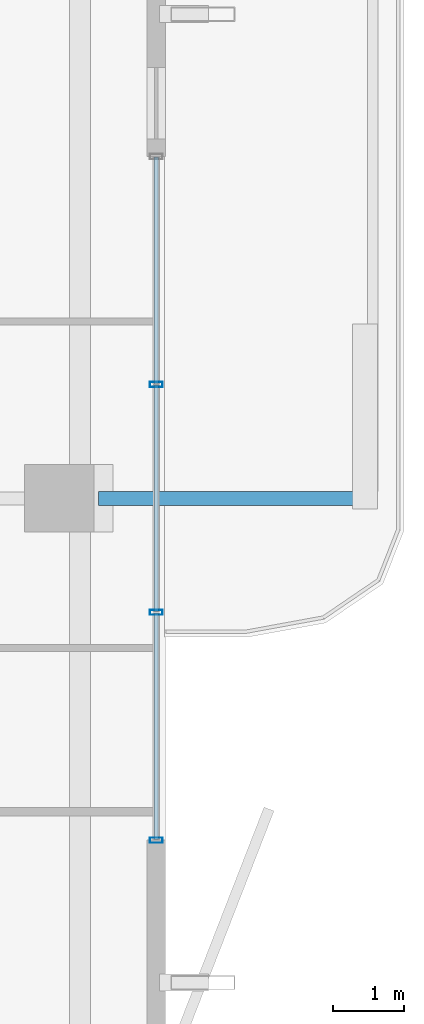
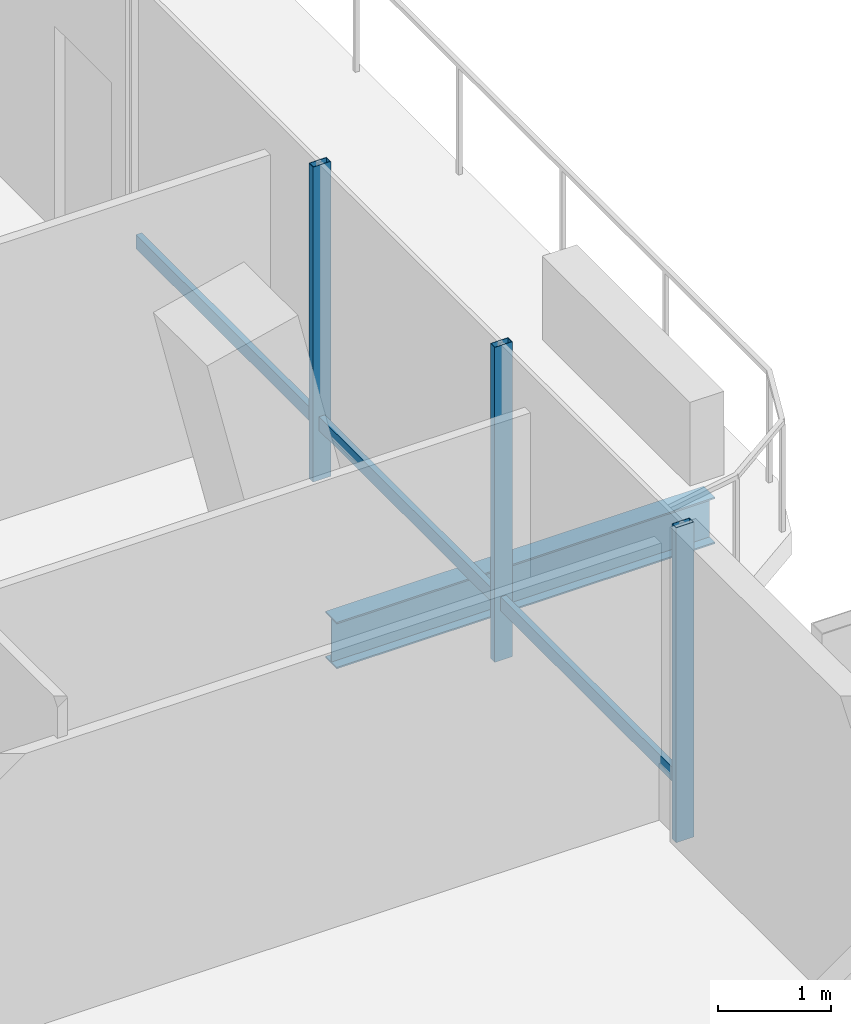
# One storey, part 10 of 25: 6 members, 1 beam, 1 element without a shape of its own.
"""IFC4 building model written with IfcOpenShell, lengths in metres."""

from ifc_helpers import new_model, si_unit, direction, frame, origin, origin_2d, place, context, subcontext, project, spatial, hollow_rectangle, i_section, extrude, material, layer, layer_set, material_profile, profile_set, type_object, element, aggregate, save


model = new_model("IFC4")

# Units and contexts
model_context = context("Model", 3, precision=1e-05, world=origin(), true_north=direction((0.0, 1.0)))
body_context = subcontext(model_context, "Body", "Model", "MODEL_VIEW")
ifc_project = project(units=[si_unit("LENGTHUNIT", "METRE"), si_unit("AREAUNIT", "SQUARE_METRE"), si_unit("VOLUMEUNIT", "CUBIC_METRE"), si_unit("PLANEANGLEUNIT", "RADIAN"), si_unit("MASSUNIT", "GRAM", prefix="KILO")], contexts=[model_context])

# Site, building, storey
site_placement = place(None, origin())
site = spatial("IfcSite", under=ifc_project, at=site_placement, CompositionType="ELEMENT")
building_placement = place(site_placement, origin())
building = spatial("IfcBuilding", under=site, at=building_placement, Name="Belovzor Exchange Tower", CompositionType="ELEMENT")
storey_placement = place(building_placement, frame((0.0, 0.0, 280.35009765625)))
storey = spatial("IfcBuildingStorey", under=building, at=storey_placement, Name="L70", CompositionType="ELEMENT", Elevation=280.35009765625)

# Beam
ifc_material_1 = material(Name="Steel S355", Category="steel")
ifc_material_profile_1 = material_profile(ifc_material_1, i_section(OverallWidth=0.199951171875, OverallDepth=0.5, WebThickness=0.01025390625, FlangeThickness=0.01611328125, at=origin_2d()))
ifc_profile_set_1 = profile_set([ifc_material_profile_1], Name="Steel S355")
beam_type = type_object("IfcBeamType", Name="Planted Balcony Cantilever Beam IPE 500", PredefinedType="BEAM", material=ifc_profile_set_1)
beam_placement = place(storey_placement, frame((52.760986328125, 28.800048828125, -0.5), z_axis=(1.0, 0.0, 0.0), x_axis=(0.0, 1.0, 0.0)))
element("IfcBeam", 1, at=beam_placement, inside=storey, type_object=beam_type, Name="BC-500 Planted Balcony Cantilever Beam IPE 500", PredefinedType="BEAM", context=body_context, shape_type="SweptSolid", body=[
    extrude(i_section(OverallWidth=0.199951171875, OverallDepth=0.5, WebThickness=0.01025390625, FlangeThickness=0.01611328125, at=origin_2d()), origin(), (0.0, 0.0, 1.0), 3.85009765625),
])

# Curtain wall, members
ifc_material_2 = material(Name="Anodised Aluminium Framing", Category="aluminium")
ifc_layer = layer(ifc_material_2, 0.179931640625)
ifc_layer_set = layer_set([ifc_layer], Name="Anodised Aluminium Framing")
curtain_wall_type = type_object("IfcCurtainWallType", Name="Recessed Loggia Low-Iron Triple-Glazed Curtain Wall", PredefinedType="NOTDEFINED", material=ifc_layer_set)
curtain_wall_placement = place(storey_placement, origin())
curtain_wall = element("IfcCurtainWall", 2, at=curtain_wall_placement, inside=storey, type_object=curtain_wall_type, Name="CW3 Recessed Loggia Low-Iron Triple-Glazed Curtain Wall L70", PredefinedType="NOTDEFINED")
ifc_material_3 = material(Name="Steel S355", Category="steel")
ifc_material_profile_2 = material_profile(ifc_material_3, hollow_rectangle(XDim=0.074951171875, YDim=0.179931640625, WallThickness=0.0048828125, at=origin_2d()))
ifc_profile_set_2 = profile_set([ifc_material_profile_2], Name="Steel S355")
member_type_1 = type_object("IfcMemberType", Name="Thermally Broken Curtain Wall Mullion 180x75", PredefinedType="MULLION", material=ifc_profile_set_2)
member_1_placement = place(storey_placement, frame((53.570068359375, 30.39990234375, 0.0), z_axis=(0.0, 0.0, 1.0), x_axis=(0.0, -1.0, 0.0)))
member_1 = element("IfcMember", 3, at=member_1_placement, type_object=member_type_1, Name="CW-M180 Curtain Wall Mullion 2", PredefinedType="MULLION", context=body_context, shape_type="SweptSolid", body=[
    extrude(hollow_rectangle(XDim=0.074951171875, YDim=0.179931640625, WallThickness=0.0048828125, at=origin_2d()), origin(), (0.0, 0.0, 1.0), 3.389892578125),
])
member_2_placement = place(storey_placement, frame((53.570068359375, 27.199951171875, 0.0), z_axis=(0.0, 0.0, 1.0), x_axis=(0.0, -1.0, 0.0)))
member_2 = element("IfcMember", 4, at=member_2_placement, type_object=member_type_1, Name="CW-M180 Curtain Wall Mullion 3", PredefinedType="MULLION", context=body_context, shape_type="SweptSolid", body=[
    extrude(hollow_rectangle(XDim=0.074951171875, YDim=0.179931640625, WallThickness=0.0048828125, at=origin_2d()), origin(), (0.0, 0.0, 1.0), 3.389892578125),
])
member_3_placement = place(storey_placement, frame((53.570068359375, 24.0, 0.0), z_axis=(0.0, 0.0, 1.0), x_axis=(0.0, -1.0, 0.0)))
member_3 = element("IfcMember", 5, at=member_3_placement, type_object=member_type_1, Name="CW-M180 Curtain Wall Mullion 4", PredefinedType="MULLION", context=body_context, shape_type="SweptSolid", body=[
    extrude(hollow_rectangle(XDim=0.074951171875, YDim=0.179931640625, WallThickness=0.0048828125, at=origin_2d()), origin(), (0.0, 0.0, 1.0), 3.389892578125),
])
ifc_material_4 = material(Name="Steel S355", Category="steel")
ifc_material_profile_3 = material_profile(ifc_material_4, hollow_rectangle(XDim=0.06005859375, YDim=0.14990234375, WallThickness=0.00390625, at=origin_2d()))
ifc_profile_set_3 = profile_set([ifc_material_profile_3], Name="Steel S355")
member_type_2 = type_object("IfcMemberType", Name="Thermally Broken Curtain Wall Transom 150x60", PredefinedType="USERDEFINED", material=ifc_profile_set_3)
member_4_placement = place(storey_placement, frame((53.570068359375, 33.592041015625, 0.60986328125), z_axis=(0.0, -1.0, 0.0), x_axis=(1.0, 0.0, 0.0)))
member_4 = element("IfcMember", 6, at=member_4_placement, type_object=member_type_2, Name="CW-T150 Curtain Wall Transom 1", ObjectType="TRANSOM", PredefinedType="USERDEFINED", context=body_context, shape_type="SweptSolid", body=[
    extrude(hollow_rectangle(XDim=0.06005859375, YDim=0.14990234375, WallThickness=0.00390625, at=origin_2d()), origin(), (0.0, 0.0, 1.0), 3.18408203125),
])
member_5_placement = place(storey_placement, frame((53.570068359375, 30.39208984375, 0.60986328125), z_axis=(0.0, -1.0, 0.0), x_axis=(1.0, 0.0, 0.0)))
member_5 = element("IfcMember", 7, at=member_5_placement, type_object=member_type_2, Name="CW-T150 Curtain Wall Transom 2", ObjectType="TRANSOM", PredefinedType="USERDEFINED", context=body_context, shape_type="SweptSolid", body=[
    extrude(hollow_rectangle(XDim=0.06005859375, YDim=0.14990234375, WallThickness=0.00390625, at=origin_2d()), origin(), (0.0, 0.0, 1.0), 3.18408203125),
])
member_6_placement = place(storey_placement, frame((53.570068359375, 27.19189453125, 0.60986328125), z_axis=(0.0, -1.0, 0.0), x_axis=(1.0, 0.0, 0.0)))
member_6 = element("IfcMember", 8, at=member_6_placement, type_object=member_type_2, Name="CW-T150 Curtain Wall Transom 3", ObjectType="TRANSOM", PredefinedType="USERDEFINED", context=body_context, shape_type="SweptSolid", body=[
    extrude(hollow_rectangle(XDim=0.06005859375, YDim=0.14990234375, WallThickness=0.00390625, at=origin_2d()), origin(), (0.0, 0.0, 1.0), 3.183837890625),
])
aggregate(curtain_wall, [member_1, member_2, member_3, member_4, member_5, member_6])

save(model, "model.ifc")
